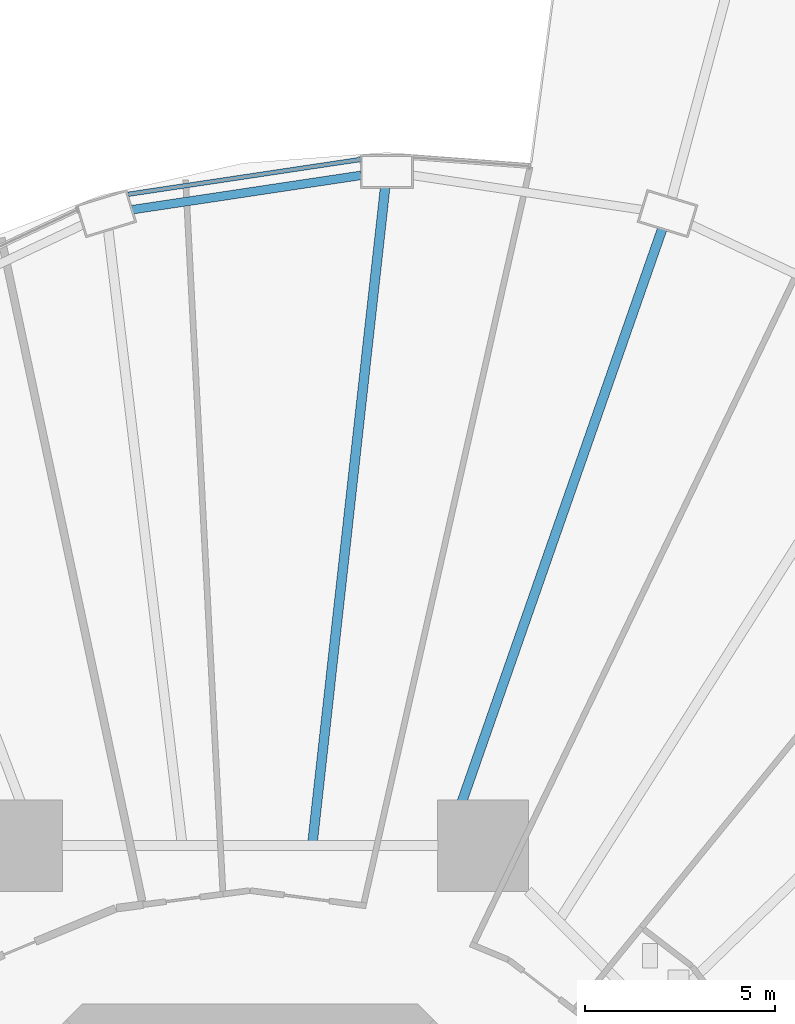
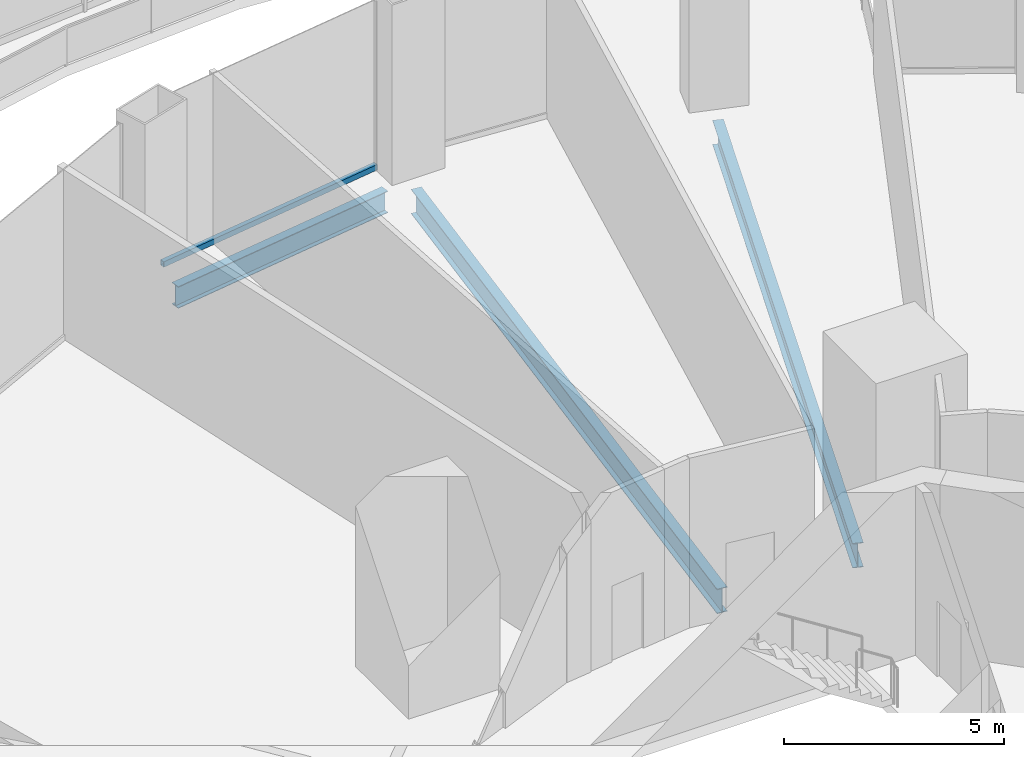
# One storey, part 33 of 48: 3 beams, 1 member, 1 element without a shape of its own.
"""IFC4 building model written with IfcOpenShell, lengths in metres."""

from ifc_helpers import new_model, si_unit, direction, frame, origin, origin_2d, place, context, subcontext, project, spatial, hollow_rectangle, i_section, extrude, material, layer, layer_set, material_profile, profile_set, type_object, element, aggregate, save


model = new_model("IFC4")

# Units and contexts
model_context = context("Model", 3, precision=1e-05, world=origin(), true_north=direction((0.0, 1.0)))
body_context = subcontext(model_context, "Body", "Model", "MODEL_VIEW")
ifc_project = project(units=[si_unit("LENGTHUNIT", "METRE"), si_unit("AREAUNIT", "SQUARE_METRE"), si_unit("VOLUMEUNIT", "CUBIC_METRE"), si_unit("PLANEANGLEUNIT", "RADIAN"), si_unit("MASSUNIT", "GRAM", prefix="KILO")], contexts=[model_context])

# Site, building, storey
site_placement = place(None, origin())
site = spatial("IfcSite", under=ifc_project, at=site_placement, CompositionType="ELEMENT")
building_placement = place(site_placement, origin())
building = spatial("IfcBuilding", under=site, at=building_placement, Name="Nagisa Residences", CompositionType="ELEMENT")
storey_placement = place(building_placement, frame((0.0, 0.0, 12.0)))
storey = spatial("IfcBuildingStorey", under=building, at=storey_placement, Name="L02", CompositionType="ELEMENT", Elevation=12.0)

# Curtain wall, member
ifc_material_1 = material(Name="Stainless steel curtain wall system", Category="steel")
ifc_layer = layer(ifc_material_1, 0.159912109375)
ifc_layer_set = layer_set([ifc_layer], Name="CW6 CURTAIN WALL")
curtain_wall_type = type_object("IfcCurtainWallType", Name="CW6 CURTAIN WALL", PredefinedType="NOTDEFINED", material=ifc_layer_set)
curtain_wall_placement = place(storey_placement, origin())
curtain_wall = element("IfcCurtainWall", 1, at=curtain_wall_placement, inside=storey, type_object=curtain_wall_type, Name="cw:CW6:L02:12", PredefinedType="NOTDEFINED")
ifc_material_2 = material(Name="Stainless steel", Category="steel")
ifc_material_profile_1 = material_profile(ifc_material_2, hollow_rectangle(XDim=0.1201171875, YDim=0.14990234375, WallThickness=0.008056640625, at=origin_2d()), Name="CW6 TRANSOM 120x150")
ifc_profile_set_1 = profile_set([ifc_material_profile_1], Name="Stainless steel")
member_type = type_object("IfcMemberType", Name="CW6 TRANSOM 120x150", PredefinedType="USERDEFINED", material=ifc_profile_set_1)
member_placement = place(storey_placement, frame((2.919677734375, 32.817138671875, 0.074951171875), z_axis=(-0.988964976725, -0.148149501559, 0.0), x_axis=(0.148149501559, -0.988964976725, 0.0)))
member = element("IfcMember", 2, at=member_placement, type_object=member_type, Name="CW6 transom", ObjectType="TRANSOM", PredefinedType="USERDEFINED", context=body_context, shape_type="SweptSolid", body=[
    extrude(hollow_rectangle(XDim=0.1201171875, YDim=0.14990234375, WallThickness=0.008056640625, at=origin_2d()), origin(), (0.0, 0.0, 1.0), 6.189697265625),
])
aggregate(curtain_wall, [member])

# Beams
ifc_material_3 = material(Name="Steel ASTM A572 Gr 50", Category="steel")
ifc_material_profile_2 = material_profile(ifc_material_3, i_section(OverallWidth=0.22802734375, OverallDepth=0.60302734375, WebThickness=0.010498046875, FlangeThickness=0.014892578125, at=origin_2d()), Name="W610x101")
ifc_profile_set_2 = profile_set([ifc_material_profile_2], Name="Steel ASTM A572 Gr 50")
beam_type_1 = type_object("IfcBeamType", Name="Perimeter ring beam W610x101", PredefinedType="BEAM", material=ifc_profile_set_2)
beam_1_placement = place(storey_placement, frame((2.919677734375, 32.39794921875, -0.6015625), z_axis=(-0.988914559467, -0.14848566959, 0.0), x_axis=(0.14848566959, -0.988914559467, 0.0)))
element("IfcBeam", 3, at=beam_1_placement, inside=storey, type_object=beam_type_1, Name="beam:L02:pb07", PredefinedType="BEAM", context=body_context, shape_type="SweptSolid", body=[
    extrude(i_section(OverallWidth=0.22802734375, OverallDepth=0.60302734375, WebThickness=0.010498046875, FlangeThickness=0.014892578125, at=origin_2d()), origin(), (0.0, 0.0, 1.0), 6.08349609375),
])
ifc_material_4 = material(Name="Steel ASTM A572 Gr 50", Category="steel")
ifc_material_profile_3 = material_profile(ifc_material_4, i_section(OverallWidth=0.25390625, OverallDepth=0.68408203125, WebThickness=0.012451171875, FlangeThickness=0.018798828125, at=origin_2d()), Name="W690x140")
ifc_profile_set_3 = profile_set([ifc_material_profile_3], Name="Steel ASTM A572 Gr 50")
beam_type_2 = type_object("IfcBeamType", Name="Radial beam W690x140", PredefinedType="BEAM", material=ifc_profile_set_3)
beam_2_placement = place(storey_placement, frame((10.834228515625, 30.986328125, -0.64208984375), z_axis=(-0.330051195485, -0.943963033364, 0.0), x_axis=(0.943963033364, -0.330051195485, 0.0)))
element("IfcBeam", 4, at=beam_2_placement, inside=storey, type_object=beam_type_2, Name="beam:L02:rb06", PredefinedType="BEAM", context=body_context, shape_type="SweptSolid", body=[
    extrude(i_section(OverallWidth=0.25390625, OverallDepth=0.68408203125, WebThickness=0.012451171875, FlangeThickness=0.018798828125, at=origin_2d()), origin(), (0.0, 0.0, 1.0), 17.045654296875),
])
beam_3_placement = place(storey_placement, frame((3.55224609375, 32.06982421875, -0.64208984375), z_axis=(-0.110088818647, -0.993921753464, 0.0), x_axis=(0.993921753464, -0.110088818647, 0.0)))
element("IfcBeam", 5, at=beam_3_placement, inside=storey, type_object=beam_type_2, Name="beam:L02:rb07", PredefinedType="BEAM", context=body_context, shape_type="SweptSolid", body=[
    extrude(i_section(OverallWidth=0.25390625, OverallDepth=0.68408203125, WebThickness=0.012451171875, FlangeThickness=0.018798828125, at=origin_2d()), origin(), (0.0, 0.0, 1.0), 17.280029296875),
])

save(model, "model.ifc")
